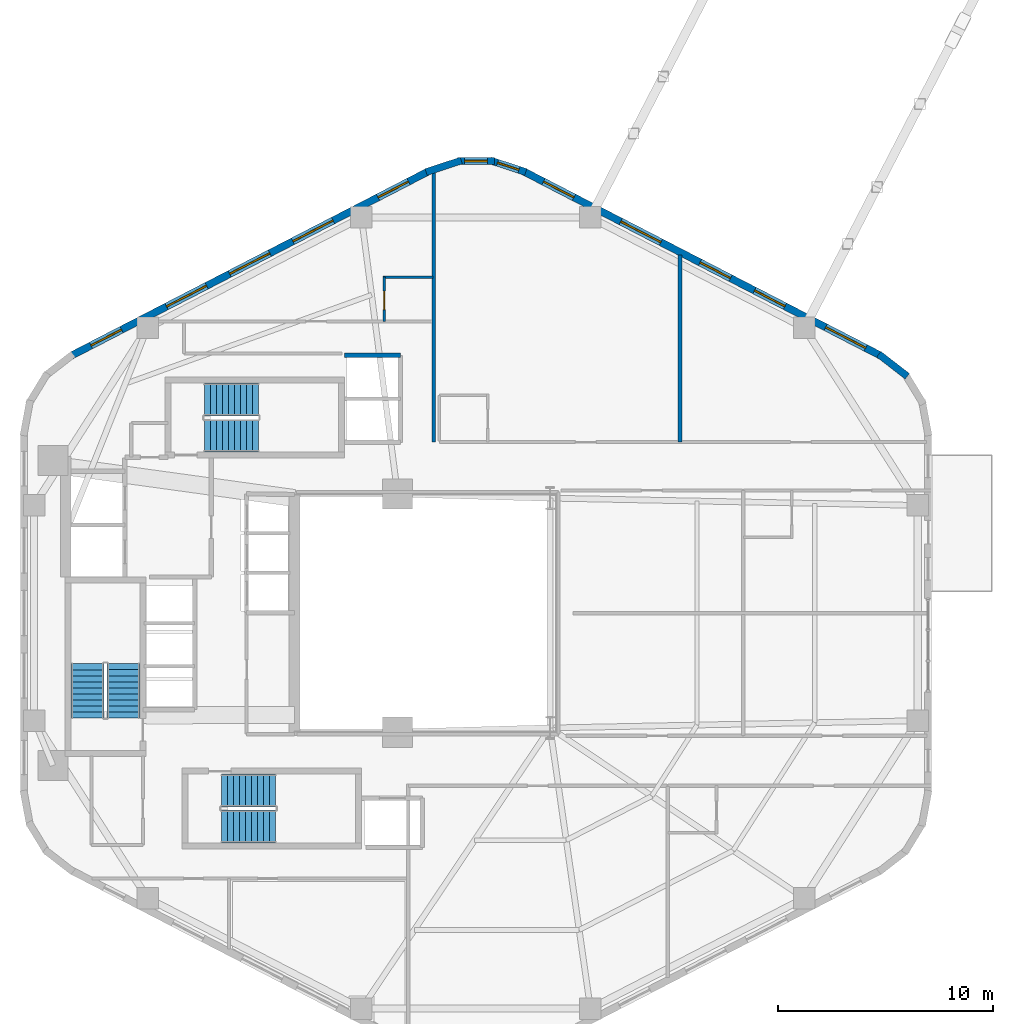
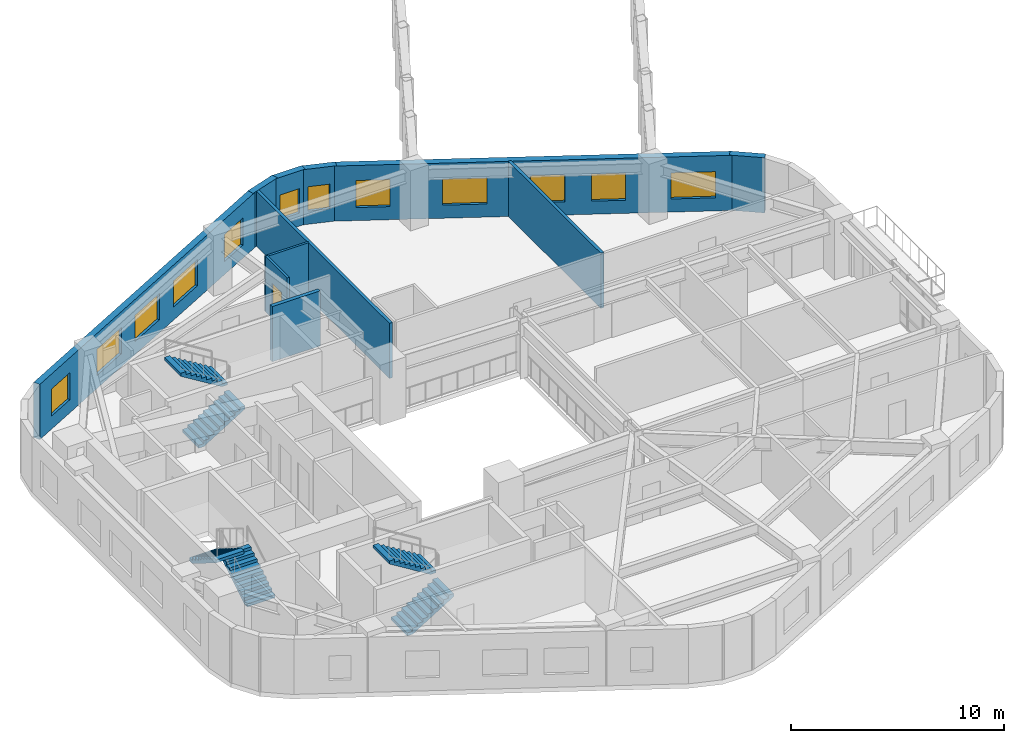
# One storey, part 7 of 9: 12 windows, 11 walls, 6 stair flights, 1 door, 13 openings, 3 elements without a shape of their own.
"""IFC4 building model written with IfcOpenShell, lengths in metres."""

import ifcopenshell
import ifcopenshell.guid

model = None  # the IFC model being written
_history = None  # IfcOwnerHistory: only IFC2X3 demands one
_inside = {}  # id of a spatial element -> (the spatial element, [elements in it])
_under = {}  # id of a project, library or spatial element -> (it, [spatial elements below it])
_declared = {}  # id of a project -> (the project, [libraries it declares])
_typed = {}  # id of a type object -> (the type object, [elements of that type])
_made_of = {}  # id of a material, layer set ... -> (it, [elements and type objects made of it])


def new_model(schema):
    """Start an empty IFC model of exactly this schema.

    Asked for "IFC4X3", IfcOpenShell would pick the latest addendum, in which some entities
    have other attributes; the version numbers below select the first issue.
    IFC2X3 requires an IfcOwnerHistory on every rooted entity: one is made here for all.
    """
    global model, _history
    if schema == "IFC4X3":
        model = ifcopenshell.file(schema_version=(4, 3, 0, 0))
    else:
        model = ifcopenshell.file(schema=schema)
    _inside.clear()
    _under.clear()
    _declared.clear()
    _typed.clear()
    _made_of.clear()
    _history = None
    if model.schema == "IFC2X3":
        org = make("IfcOrganization", Name="unknown")
        user = make(
            "IfcPersonAndOrganization",
            ThePerson=make("IfcPerson", FamilyName="unknown"),
            TheOrganization=org,
        )
        app = make(
            "IfcApplication",
            ApplicationDeveloper=org,
            Version="unknown",
            ApplicationFullName="unknown",
            ApplicationIdentifier="unknown",
        )
        _history = make(
            "IfcOwnerHistory",
            OwningUser=user,
            OwningApplication=app,
            ChangeAction="ADDED",
            CreationDate=0,
        )
    return model


def make(cls, **values):
    """One entity of the class cls with the attributes given. An attribute that is None is left unset."""
    return model.create_entity(
        cls, **{name: value for name, value in values.items() if value is not None}
    )


def rooted(cls, **values):
    """An entity with a GlobalId (a new one), such as an element, a storey or a relation."""
    return make(cls, GlobalId=ifcopenshell.guid.new(), OwnerHistory=_history, **values)


def si_unit(unit_type, name, prefix=None):
    """IfcSIUnit, for example si_unit("LENGTHUNIT", "METRE", prefix="MILLI")."""
    return make("IfcSIUnit", UnitType=unit_type, Prefix=prefix, Name=name)


def assignment(units):
    """IfcUnitAssignment: the units of a project."""
    return None if units is None else make("IfcUnitAssignment", Units=units)


def point(xyz):
    """IfcCartesianPoint."""
    return None if xyz is None else make("IfcCartesianPoint", Coordinates=xyz)


def direction(xyz):
    """IfcDirection."""
    return None if xyz is None else make("IfcDirection", DirectionRatios=xyz)


def frame(location, z_axis=None, x_axis=None):
    """IfcAxis2Placement3D, a coordinate frame: its origin and axes. An axis left out is left unset."""
    return make(
        "IfcAxis2Placement3D",
        Location=point(location),
        Axis=direction(z_axis),
        RefDirection=direction(x_axis),
    )


def frame_2d(location, x_axis=None):
    """IfcAxis2Placement2D, a coordinate frame in the plane: its origin and x axis."""
    return make(
        "IfcAxis2Placement2D", Location=point(location), RefDirection=direction(x_axis)
    )


def origin():
    """The frame at (0, 0, 0) with its axes left unset."""
    return frame((0.0, 0.0, 0.0))


def place(relative_to, where):
    """IfcLocalPlacement: puts the frame where relative to a parent placement (None: the world)."""
    return make(
        "IfcLocalPlacement", PlacementRelTo=relative_to, RelativePlacement=where
    )


def context(
    kind, dimensions, precision=None, world=None, true_north=None, identifier=None
):
    """IfcGeometricRepresentationContext, for example the 3D "Model" context."""
    return make(
        "IfcGeometricRepresentationContext",
        ContextIdentifier=identifier,
        ContextType=kind,
        CoordinateSpaceDimension=dimensions,
        Precision=precision,
        WorldCoordinateSystem=world,
        TrueNorth=true_north,
    )


def subcontext(parent, identifier, kind, view, scale=None):
    """IfcGeometricRepresentationSubContext, for example "Body" below "Model"."""
    return make(
        "IfcGeometricRepresentationSubContext",
        ContextIdentifier=identifier,
        ContextType=kind,
        ParentContext=parent,
        TargetScale=scale,
        TargetView=view,
    )


def project(units=None, contexts=None):
    """IfcProject with its units and contexts."""
    return rooted(
        "IfcProject",
        Name="project",
        RepresentationContexts=contexts,
        UnitsInContext=assignment(units),
    )


def spatial(cls, under=None, at=None, **own):
    """A site, building, storey or space (cls), placed at a placement, below another one or the project."""
    s = rooted(cls, ObjectPlacement=at, **own)
    if under is not None:
        _under.setdefault(under.id(), (under, []))[1].append(s)
    return s


def polyline(points):
    """IfcPolyline through the points."""
    return make("IfcPolyline", Points=[point(p) for p in points])


def profile(cls, at=None, kind="AREA", **sizes):
    """A parametric profile (cls). Its sizes go by their IFC names, for example OverallWidth=200.0."""
    return make(cls, ProfileType=kind, Position=at, **sizes)


def rectangle(**sizes):
    """IfcRectangleProfileDef."""
    return profile("IfcRectangleProfileDef", **sizes)


def outline(outer, holes=None, kind="AREA"):
    """IfcArbitraryClosedProfileDef: a profile drawn as a closed curve; with holes, ...WithVoids."""
    if holes is None:
        return make("IfcArbitraryClosedProfileDef", ProfileType=kind, OuterCurve=outer)
    return make(
        "IfcArbitraryProfileDefWithVoids",
        ProfileType=kind,
        OuterCurve=outer,
        InnerCurves=holes,
    )


def extrude(swept, where, along, depth):
    """IfcExtrudedAreaSolid: the profile swept, set in the frame where, extruded along a direction by depth."""
    return make(
        "IfcExtrudedAreaSolid",
        SweptArea=swept,
        Position=where,
        ExtrudedDirection=direction(along),
        Depth=depth,
    )


def shape(context_of_items, identifier, shape_type, items):
    """IfcShapeRepresentation: the items that make up one representation, for example the "Body"."""
    return make(
        "IfcShapeRepresentation",
        ContextOfItems=context_of_items,
        RepresentationIdentifier=identifier,
        RepresentationType=shape_type,
        Items=items,
    )


def material(Name=None, Category=None):
    """IfcMaterial."""
    return make("IfcMaterial", Name=Name, Category=Category)


def layer(
    of_material, thickness, ventilated=None, Name=None, Category=None, Priority=None
):
    """IfcMaterialLayer: one layer of a wall or slab, of a material (None: an air gap)."""
    return make(
        "IfcMaterialLayer",
        Material=of_material,
        LayerThickness=thickness,
        IsVentilated=ventilated,
        Name=Name,
        Category=Category,
        Priority=Priority,
    )


def layer_set(layers, Name=None):
    """IfcMaterialLayerSet."""
    return make("IfcMaterialLayerSet", MaterialLayers=layers, LayerSetName=Name)


def made_of(thing, what):
    """Note that an element or type object is made of a material, layer set ...; save() writes the relation."""
    if what is not None:
        _made_of.setdefault(what.id(), (what, []))[1].append(thing)
    return thing


def type_object(cls, material=None, **own):
    """A type object (cls), such as IfcWallType, which elements share."""
    return made_of(rooted(cls, **own), material)


def element(
    cls,
    number,
    at=None,
    inside=None,
    cuts=None,
    type_object=None,
    material=None,
    context=None,
    identifier="Body",
    shape_type=None,
    held_by="IfcProductDefinitionShape",
    body=None,
    shapes=None,
    **own,
):
    """One element of the class cls, such as IfcWall. Its Tag is "e" and its number.

    at: its placement. inside: the storey or other place that contains it. cuts: it is an
    opening in that element (IfcRelVoidsElement). A single representation is given by context,
    identifier, shape_type and body (its items); several are given by shapes. held_by: the class
    of the entity that holds the representations. save() writes the other relations.
    """
    e = rooted(cls, Tag="e%d" % number, ObjectPlacement=at, **own)
    if body is not None:
        shapes = [shape(context, identifier, shape_type, body)]
    if shapes is not None:
        e.Representation = make(held_by, Representations=shapes)
    if inside is not None:
        _inside.setdefault(inside.id(), (inside, []))[1].append(e)
    if cuts is not None:
        rooted(
            "IfcRelVoidsElement", RelatingBuildingElement=cuts, RelatedOpeningElement=e
        )
    if type_object is not None:
        _typed.setdefault(type_object.id(), (type_object, []))[1].append(e)
    return made_of(e, material)


def fill(opening, filler):
    """IfcRelFillsElement: the door or window that sits in an opening."""
    return rooted(
        "IfcRelFillsElement",
        RelatingOpeningElement=opening,
        RelatedBuildingElement=filler,
    )


def aggregate(whole, parts):
    """IfcRelAggregates: a whole, such as a stair, and the parts it consists of."""
    return rooted("IfcRelAggregates", RelatingObject=whole, RelatedObjects=parts)


def save(model, path):
    """Write the relations noted so far, then the file.

    IfcRelAggregates (storeys below a building ...), IfcRelContainedInSpatialStructure (elements
    in a storey), IfcRelDefinesByType, IfcRelAssociatesMaterial and IfcRelDeclares: one each for
    every whole, place, type object, material and project.
    """
    for whole, parts in _under.values():
        aggregate(whole, parts)
    for where, things in _inside.values():
        rooted(
            "IfcRelContainedInSpatialStructure",
            RelatedElements=things,
            RelatingStructure=where,
        )
    for kind, things in _typed.values():
        rooted("IfcRelDefinesByType", RelatedObjects=things, RelatingType=kind)
    for what, things in _made_of.values():
        rooted("IfcRelAssociatesMaterial", RelatedObjects=things, RelatingMaterial=what)
    for by, libraries in _declared.values():
        rooted("IfcRelDeclares", RelatingContext=by, RelatedDefinitions=libraries)
    model.write(path)


model = new_model("IFC4")

# Units and contexts
model_context = context("Model", 3, precision=1e-05, world=origin(), true_north=direction((0.0, 1.0)))
body_context = subcontext(model_context, "Body", "Model", "MODEL_VIEW")
ifc_project = project(units=[si_unit("LENGTHUNIT", "METRE"), si_unit("AREAUNIT", "SQUARE_METRE"), si_unit("VOLUMEUNIT", "CUBIC_METRE"), si_unit("PLANEANGLEUNIT", "RADIAN"), si_unit("MASSUNIT", "GRAM", prefix="KILO"), si_unit("THERMODYNAMICTEMPERATUREUNIT", "KELVIN"), si_unit("POWERUNIT", "WATT")], contexts=[model_context])

# Site, building, storey
site_placement = place(None, origin())
site = spatial("IfcSite", under=ifc_project, at=site_placement, CompositionType="ELEMENT")
building_placement = place(site_placement, origin())
building = spatial("IfcBuilding", under=site, at=building_placement, Name="Skarre Station Tower", CompositionType="ELEMENT")
storey_placement = place(building_placement, frame((0.0, 0.0, 108.449951171875)))
storey = spatial("IfcBuildingStorey", under=building, at=storey_placement, Name="L28", CompositionType="ELEMENT", Elevation=108.449951171875)

# Wall
ifc_material_1 = material(Name="Insulated Timber-Stud Gypsum Partition", Category="wood")
ifc_layer_1 = layer(ifc_material_1, 0.1201171875, Name="Insulated Timber-Stud Gypsum Partition")
ifc_layer_set_1 = layer_set([ifc_layer_1], Name="Insulated Timber-Stud Gypsum Partition")
wall_type_1 = type_object("IfcWallType", Name="Internal Suite Acoustic Partition 120", PredefinedType="PARTITIONING", material=ifc_layer_set_1)
wall_1_placement = place(storey_placement, frame((34.0, 39.639892578125, 0.0), z_axis=(0.0, 0.0, 1.0), x_axis=(-1.0, 0.0, 0.0)))
element("IfcWall", 1, at=wall_1_placement, inside=storey, type_object=wall_type_1, Name="L28 Interior Partition WL-PT-L28-NWW1-EW3", PredefinedType="PARTITIONING", context=body_context, shape_type="SweptSolid", body=[
    extrude(rectangle(XDim=2.340087890625, YDim=0.1201171875, at=frame_2d((1.169921875, 0.0))), origin(), (0.0, 0.0, 1.0), 3.16015625),
])

# Wall, opening, door
wall_2_placement = place(storey_placement, frame((31.719970703125, 39.639892578125, 0.0), z_axis=(0.0, 0.0, 1.0), x_axis=(0.0, -1.0, 0.0)))
wall_2 = element("IfcWall", 2, at=wall_2_placement, inside=storey, type_object=wall_type_1, Name="L28 Interior Partition WL-PT-L28-NWW1-EW4", PredefinedType="PARTITIONING", context=body_context, shape_type="SweptSolid", body=[
    extrude(rectangle(XDim=2.059814453125, YDim=0.1201171875, at=frame_2d((1.02978515625, 0.0))), origin(), (0.0, 0.0, 1.0), 3.16015625),
])
opening_1_placement = place(wall_2_placement, frame((0.64990234375, 0.0, 0.0)))
opening_1 = element("IfcOpeningElement", 3, at=opening_1_placement, cuts=wall_2, Name="Opening DR-INT86", PredefinedType="OPENING", context=body_context, shape_type="SweptSolid", body=[
    extrude(rectangle(XDim=0.860107421875, YDim=2.0, at=frame_2d((0.43017578125, 1.0))), frame((0.0, 0.070068359375, 0.0), z_axis=(0.0, -1.0, 0.0), x_axis=(1.0, 0.0, 0.0)), (0.0, 0.0, 1.0), 0.14013671875),
])
ifc_material_2 = material(Name="Nordic Birch Acoustic Solid-Core Timber Leaf", Category="wood")
door_type = type_object("IfcDoorType", Name="Internal En-Suite & Bedroom Door 860x2100", OperationType="SINGLE_SWING_LEFT", PredefinedType="DOOR", material=ifc_material_2)
door_placement = place(opening_1_placement, origin())
door = element("IfcDoor", 4, at=door_placement, inside=storey, type_object=door_type, Name="L28 NWW1 En-suite Door", OperationType="SINGLE_SWING_RIGHT", OverallHeight=2.0, OverallWidth=0.860107421875, PredefinedType="DOOR", context=body_context, shape_type="SweptSolid", body=[
    extrude(rectangle(XDim=0.860107421875, YDim=2.0, at=frame_2d((0.43017578125, 1.0))), frame((0.0, 0.02490234375, 0.0), z_axis=(0.0, -1.0, 0.0), x_axis=(1.0, 0.0, 0.0)), (0.0, 0.0, 1.0), 0.050048828125),
])
fill(opening_1, door)

# Wall, openings, windows
ifc_material_3 = material(Name="Precast concrete C45/55", Category="concrete")
ifc_layer_2 = layer(ifc_material_3, 0.340087890625, Name="Precast concrete C45/55")
ifc_layer_set_2 = layer_set([ifc_layer_2], Name="Precast concrete C45/55")
wall_type_2 = type_object("IfcWallType", Name="Nordic Honed Precast Facet Wall 340", PredefinedType="STANDARD", material=ifc_layer_set_2)
wall_3_placement = place(storey_placement, frame((38.23095703125, 44.55810546875, 0.0), z_axis=(0.0, 0.0, 1.0), x_axis=(0.888613612362, -0.458656568606, 0.0)))
wall_3 = element("IfcWall", 5, at=wall_3_placement, inside=storey, type_object=wall_type_2, Name="L28 Facet 0 Nordic Precast Masonry Wall", PredefinedType="STANDARD", context=body_context, shape_type="SweptSolid", body=[
    extrude(rectangle(XDim=18.680908203125, YDim=0.340087890625, at=frame_2d((9.34033203125, 0.0))), origin(), (0.0, 0.0, 1.0), 3.16015625),
])
opening_2_placement = place(wall_3_placement, frame((1.02294921875, 0.0, 0.75)))
opening_2 = element("IfcOpeningElement", 6, at=opening_2_placement, cuts=wall_3, Name="Opening WN-Z2A", PredefinedType="OPENING", context=body_context, shape_type="SweptSolid", body=[
    extrude(rectangle(XDim=1.60009765625, YDim=1.550048828125, at=frame_2d((0.800048828125, 0.77490234375))), frame((0.0, 0.179931640625, 0.0), z_axis=(0.0, -1.0, 0.0), x_axis=(1.0, 0.0, 0.0)), (0.0, 0.0, 1.0), 0.360107421875),
])
opening_3_placement = place(wall_3_placement, frame((5.076904296875, 0.0, 0.75)))
opening_3 = element("IfcOpeningElement", 7, at=opening_3_placement, cuts=wall_3, Name="Opening WN-Z2B", PredefinedType="OPENING", context=body_context, shape_type="SweptSolid", body=[
    extrude(rectangle(XDim=2.10009765625, YDim=1.5, at=frame_2d((1.050048828125, 0.75))), frame((0.0, 0.179931640625, 0.0), z_axis=(0.0, -1.0, 0.0), x_axis=(1.0, 0.0, 0.0)), (0.0, 0.0, 1.0), 0.360107421875),
])
opening_4_placement = place(wall_3_placement, frame((9.22900390625, 0.0, 0.75)))
opening_4 = element("IfcOpeningElement", 8, at=opening_4_placement, cuts=wall_3, Name="Opening WN-Z2A", PredefinedType="OPENING", context=body_context, shape_type="SweptSolid", body=[
    extrude(rectangle(XDim=1.60009765625, YDim=1.550048828125, at=frame_2d((0.800048828125, 0.77490234375))), frame((0.0, 0.179931640625, 0.0), z_axis=(0.0, -1.0, 0.0), x_axis=(1.0, 0.0, 0.0)), (0.0, 0.0, 1.0), 0.360107421875),
])
opening_5_placement = place(wall_3_placement, frame((12.0791015625, 0.0, 0.75)))
opening_5 = element("IfcOpeningElement", 9, at=opening_5_placement, cuts=wall_3, Name="Opening WN-Z2A", PredefinedType="OPENING", context=body_context, shape_type="SweptSolid", body=[
    extrude(rectangle(XDim=1.60009765625, YDim=1.550048828125, at=frame_2d((0.800048828125, 0.77490234375))), frame((0.0, 0.179931640625, 0.0), z_axis=(0.0, -1.0, 0.0), x_axis=(1.0, 0.0, 0.0)), (0.0, 0.0, 1.0), 0.360107421875),
])
opening_6_placement = place(wall_3_placement, frame((15.80810546875, 0.0, 0.75)))
opening_6 = element("IfcOpeningElement", 10, at=opening_6_placement, cuts=wall_3, Name="Opening WN-Z2B", PredefinedType="OPENING", context=body_context, shape_type="SweptSolid", body=[
    extrude(rectangle(XDim=2.10009765625, YDim=1.5, at=frame_2d((1.050048828125, 0.75))), frame((0.0, 0.179931640625, 0.0), z_axis=(0.0, -1.0, 0.0), x_axis=(1.0, 0.0, 0.0)), (0.0, 0.0, 1.0), 0.360107421875),
])
ifc_material_4 = material(Name="Low-Iron Triple Glazing with Bronze Anodized Frame", Category="glass")
window_type_1 = type_object("IfcWindowType", Name="Nordic Residential Tall Window 1600x1550", PartitioningType="SINGLE_PANEL", PredefinedType="WINDOW", material=ifc_material_4)
window_1_placement = place(opening_2_placement, origin())
window_1 = element("IfcWindow", 11, at=window_1_placement, inside=storey, type_object=window_type_1, Name="L28 Facade Window WL-FAC-L28-F0-1", OverallHeight=1.550048828125, OverallWidth=1.60009765625, PartitioningType="SINGLE_PANEL", PredefinedType="WINDOW", context=body_context, shape_type="SweptSolid", body=[
    extrude(rectangle(XDim=1.60009765625, YDim=1.550048828125, at=frame_2d((0.800048828125, 0.77490234375))), frame((0.0, 0.030029296875, 0.0), z_axis=(0.0, -1.0, 0.0), x_axis=(1.0, 0.0, 0.0)), (0.0, 0.0, 1.0), 0.06005859375),
])
fill(opening_2, window_1)
window_2_placement = place(opening_4_placement, origin())
window_2 = element("IfcWindow", 12, at=window_2_placement, inside=storey, type_object=window_type_1, Name="L28 Facade Window WL-FAC-L28-F0-3", OverallHeight=1.550048828125, OverallWidth=1.60009765625, PartitioningType="SINGLE_PANEL", PredefinedType="WINDOW", context=body_context, shape_type="SweptSolid", body=[
    extrude(rectangle(XDim=1.60009765625, YDim=1.550048828125, at=frame_2d((0.800048828125, 0.77490234375))), frame((0.0, 0.030029296875, 0.0), z_axis=(0.0, -1.0, 0.0), x_axis=(1.0, 0.0, 0.0)), (0.0, 0.0, 1.0), 0.06005859375),
])
fill(opening_4, window_2)
window_3_placement = place(opening_5_placement, origin())
window_3 = element("IfcWindow", 13, at=window_3_placement, inside=storey, type_object=window_type_1, Name="L28 Facade Window WL-FAC-L28-F0-4", OverallHeight=1.550048828125, OverallWidth=1.60009765625, PartitioningType="SINGLE_PANEL", PredefinedType="WINDOW", context=body_context, shape_type="SweptSolid", body=[
    extrude(rectangle(XDim=1.60009765625, YDim=1.550048828125, at=frame_2d((0.800048828125, 0.77490234375))), frame((0.0, 0.030029296875, 0.0), z_axis=(0.0, -1.0, 0.0), x_axis=(1.0, 0.0, 0.0)), (0.0, 0.0, 1.0), 0.06005859375),
])
fill(opening_5, window_3)
window_type_2 = type_object("IfcWindowType", Name="Nordic Residential Twin Window 2100x1500", PartitioningType="SINGLE_PANEL", PredefinedType="WINDOW", material=ifc_material_4)
window_4_placement = place(opening_3_placement, origin())
window_4 = element("IfcWindow", 14, at=window_4_placement, inside=storey, type_object=window_type_2, Name="L28 Facade Window WL-FAC-L28-F0-2", OverallHeight=1.5, OverallWidth=2.10009765625, PartitioningType="SINGLE_PANEL", PredefinedType="WINDOW", context=body_context, shape_type="SweptSolid", body=[
    extrude(rectangle(XDim=2.10009765625, YDim=1.5, at=frame_2d((1.050048828125, 0.75))), frame((0.0, 0.030029296875, 0.0), z_axis=(0.0, -1.0, 0.0), x_axis=(1.0, 0.0, 0.0)), (0.0, 0.0, 1.0), 0.06005859375),
])
fill(opening_3, window_4)
window_5_placement = place(opening_6_placement, origin())
window_5 = element("IfcWindow", 15, at=window_5_placement, inside=storey, type_object=window_type_2, Name="L28 Facade Window WL-FAC-L28-F0-5", OverallHeight=1.5, OverallWidth=2.10009765625, PartitioningType="SINGLE_PANEL", PredefinedType="WINDOW", context=body_context, shape_type="SweptSolid", body=[
    extrude(rectangle(XDim=2.10009765625, YDim=1.5, at=frame_2d((1.050048828125, 0.75))), frame((0.0, 0.030029296875, 0.0), z_axis=(0.0, -1.0, 0.0), x_axis=(1.0, 0.0, 0.0)), (0.0, 0.0, 1.0), 0.06005859375),
])
fill(opening_6, window_5)

wall_4_placement = place(storey_placement, frame((17.1689453125, 35.989990234375, 0.0), z_axis=(0.0, 0.0, 1.0), x_axis=(0.888613612362, 0.458656568606, 0.0)))
wall_4 = element("IfcWall", 16, at=wall_4_placement, inside=storey, type_object=wall_type_2, Name="L28 Facet 1 Nordic Precast Masonry Wall", PredefinedType="STANDARD", context=body_context, shape_type="SweptSolid", body=[
    extrude(rectangle(XDim=18.680908203125, YDim=0.340087890625, at=frame_2d((9.34033203125, 0.0))), origin(), (0.0, 0.0, 1.0), 3.16015625),
])
opening_7_placement = place(wall_4_placement, frame((1.02294921875, 0.0, 0.75)))
opening_7 = element("IfcOpeningElement", 17, at=opening_7_placement, cuts=wall_4, Name="Opening WN-Z2A", PredefinedType="OPENING", context=body_context, shape_type="SweptSolid", body=[
    extrude(rectangle(XDim=1.60009765625, YDim=1.550048828125, at=frame_2d((0.800048828125, 0.77490234375))), frame((0.0, 0.179931640625, 0.0), z_axis=(0.0, -1.0, 0.0), x_axis=(1.0, 0.0, 0.0)), (0.0, 0.0, 1.0), 0.360107421875),
])
opening_8_placement = place(wall_4_placement, frame((4.98095703125, 0.0, 0.75)))
opening_8 = element("IfcOpeningElement", 18, at=opening_8_placement, cuts=wall_4, Name="Opening WN-Z2B", PredefinedType="OPENING", context=body_context, shape_type="SweptSolid", body=[
    extrude(rectangle(XDim=2.10009765625, YDim=1.5, at=frame_2d((1.050048828125, 0.75))), frame((0.0, 0.179931640625, 0.0), z_axis=(0.0, -1.0, 0.0), x_axis=(1.0, 0.0, 0.0)), (0.0, 0.0, 1.0), 0.360107421875),
])
opening_9_placement = place(wall_4_placement, frame((8.2900390625, 0.0, 0.75)))
opening_9 = element("IfcOpeningElement", 19, at=opening_9_placement, cuts=wall_4, Name="Opening WN-Z2B", PredefinedType="OPENING", context=body_context, shape_type="SweptSolid", body=[
    extrude(rectangle(XDim=2.10009765625, YDim=1.5, at=frame_2d((1.050048828125, 0.75))), frame((0.0, 0.179931640625, 0.0), z_axis=(0.0, -1.0, 0.0), x_axis=(1.0, 0.0, 0.0)), (0.0, 0.0, 1.0), 0.360107421875),
])
opening_10_placement = place(wall_4_placement, frame((11.60009765625, 0.0, 0.75)))
opening_10 = element("IfcOpeningElement", 20, at=opening_10_placement, cuts=wall_4, Name="Opening WN-Z2B", PredefinedType="OPENING", context=body_context, shape_type="SweptSolid", body=[
    extrude(rectangle(XDim=2.10009765625, YDim=1.5, at=frame_2d((1.050048828125, 0.75))), frame((0.0, 0.179931640625, 0.0), z_axis=(0.0, -1.0, 0.0), x_axis=(1.0, 0.0, 0.0)), (0.0, 0.0, 1.0), 0.360107421875),
])
opening_11_placement = place(wall_4_placement, frame((16.05810546875, 0.0, 0.75)))
opening_11 = element("IfcOpeningElement", 21, at=opening_11_placement, cuts=wall_4, Name="Opening WN-Z2A", PredefinedType="OPENING", context=body_context, shape_type="SweptSolid", body=[
    extrude(rectangle(XDim=1.60009765625, YDim=1.550048828125, at=frame_2d((0.800048828125, 0.77490234375))), frame((0.0, 0.179931640625, 0.0), z_axis=(0.0, -1.0, 0.0), x_axis=(1.0, 0.0, 0.0)), (0.0, 0.0, 1.0), 0.360107421875),
])
window_6_placement = place(opening_7_placement, origin())
window_6 = element("IfcWindow", 22, at=window_6_placement, inside=storey, type_object=window_type_1, Name="L28 Facade Window WL-FAC-L28-F1-1", OverallHeight=1.550048828125, OverallWidth=1.60009765625, PartitioningType="SINGLE_PANEL", PredefinedType="WINDOW", context=body_context, shape_type="SweptSolid", body=[
    extrude(rectangle(XDim=1.60009765625, YDim=1.550048828125, at=frame_2d((0.800048828125, 0.77490234375))), frame((0.0, 0.030029296875, 0.0), z_axis=(0.0, -1.0, 0.0), x_axis=(1.0, 0.0, 0.0)), (0.0, 0.0, 1.0), 0.06005859375),
])
fill(opening_7, window_6)
window_7_placement = place(opening_11_placement, origin())
window_7 = element("IfcWindow", 23, at=window_7_placement, inside=storey, type_object=window_type_1, Name="L28 Facade Window WL-FAC-L28-F1-5", OverallHeight=1.550048828125, OverallWidth=1.60009765625, PartitioningType="SINGLE_PANEL", PredefinedType="WINDOW", context=body_context, shape_type="SweptSolid", body=[
    extrude(rectangle(XDim=1.60009765625, YDim=1.550048828125, at=frame_2d((0.800048828125, 0.77490234375))), frame((0.0, 0.030029296875, 0.0), z_axis=(0.0, -1.0, 0.0), x_axis=(1.0, 0.0, 0.0)), (0.0, 0.0, 1.0), 0.06005859375),
])
fill(opening_11, window_7)
window_8_placement = place(opening_8_placement, origin())
window_8 = element("IfcWindow", 24, at=window_8_placement, inside=storey, type_object=window_type_2, Name="L28 Facade Window WL-FAC-L28-F1-2", OverallHeight=1.5, OverallWidth=2.10009765625, PartitioningType="SINGLE_PANEL", PredefinedType="WINDOW", context=body_context, shape_type="SweptSolid", body=[
    extrude(rectangle(XDim=2.10009765625, YDim=1.5, at=frame_2d((1.050048828125, 0.75))), frame((0.0, 0.030029296875, 0.0), z_axis=(0.0, -1.0, 0.0), x_axis=(1.0, 0.0, 0.0)), (0.0, 0.0, 1.0), 0.06005859375),
])
fill(opening_8, window_8)
window_9_placement = place(opening_9_placement, origin())
window_9 = element("IfcWindow", 25, at=window_9_placement, inside=storey, type_object=window_type_2, Name="L28 Facade Window WL-FAC-L28-F1-3", OverallHeight=1.5, OverallWidth=2.10009765625, PartitioningType="SINGLE_PANEL", PredefinedType="WINDOW", context=body_context, shape_type="SweptSolid", body=[
    extrude(rectangle(XDim=2.10009765625, YDim=1.5, at=frame_2d((1.050048828125, 0.75))), frame((0.0, 0.030029296875, 0.0), z_axis=(0.0, -1.0, 0.0), x_axis=(1.0, 0.0, 0.0)), (0.0, 0.0, 1.0), 0.06005859375),
])
fill(opening_9, window_9)
window_10_placement = place(opening_10_placement, origin())
window_10 = element("IfcWindow", 26, at=window_10_placement, inside=storey, type_object=window_type_2, Name="L28 Facade Window WL-FAC-L28-F1-4", OverallHeight=1.5, OverallWidth=2.10009765625, PartitioningType="SINGLE_PANEL", PredefinedType="WINDOW", context=body_context, shape_type="SweptSolid", body=[
    extrude(rectangle(XDim=2.10009765625, YDim=1.5, at=frame_2d((1.050048828125, 0.75))), frame((0.0, 0.030029296875, 0.0), z_axis=(0.0, -1.0, 0.0), x_axis=(1.0, 0.0, 0.0)), (0.0, 0.0, 1.0), 0.06005859375),
])
fill(opening_10, window_10)

# Walls
ifc_layer_3 = layer(ifc_material_3, 0.330078125, Name="Precast concrete C45/55")
ifc_layer_set_3 = layer_set([ifc_layer_3], Name="Precast concrete C45/55")
wall_type_3 = type_object("IfcWallType", Name="Nordic Rounded Corner Precast Wall 330", PredefinedType="STANDARD", material=ifc_layer_set_3)
wall_5_placement = place(storey_placement, frame((54.757080078125, 36.050048828125, 0.0), z_axis=(0.0, 0.0, 1.0), x_axis=(0.790621329885, -0.612305408053, 0.0)))
element("IfcWall", 27, at=wall_5_placement, inside=storey, type_object=wall_type_3, Name="L28 Rounded Corner Precast Wall F0-1", PredefinedType="STANDARD", context=body_context, shape_type="SweptSolid", body=[
    extrude(rectangle(XDim=1.67578125, YDim=0.330078125, at=frame_2d((0.837890625, 0.0))), origin(), (0.0, 0.0, 1.0), 3.16015625),
])
wall_6_placement = place(storey_placement, frame((33.680908203125, 44.531982421875, 0.0), z_axis=(0.0, 0.0, 1.0), x_axis=(0.949937416267, 0.312440242569, 0.0)))
element("IfcWall", 28, at=wall_6_placement, inside=storey, type_object=wall_type_3, Name="L28 Rounded Corner Precast Wall F1-1", PredefinedType="STANDARD", context=body_context, shape_type="SweptSolid", body=[
    extrude(rectangle(XDim=1.72216796875, YDim=0.330078125, at=frame_2d((0.861083984375, 0.0))), origin(), (0.0, 0.0, 1.0), 3.16015625),
])

# Wall, opening, window
wall_7_placement = place(storey_placement, frame((35.138916015625, 45.041015625, 0.0), z_axis=(0.0, 0.0, 1.0), x_axis=(1.0, 0.0, 0.0)))
wall_7 = element("IfcWall", 29, at=wall_7_placement, inside=storey, type_object=wall_type_3, Name="L28 Rounded Corner Precast Wall F1-2", PredefinedType="STANDARD", context=body_context, shape_type="SweptSolid", body=[
    extrude(rectangle(XDim=1.72216796875, YDim=0.330078125, at=frame_2d((0.861083984375, 0.0))), origin(), (0.0, 0.0, 1.0), 3.16015625),
])
opening_12_placement = place(wall_7_placement, frame((0.3359375, 0.0, 0.75)))
opening_12 = element("IfcOpeningElement", 30, at=opening_12_placement, cuts=wall_7, Name="Opening WN-SLT", PredefinedType="OPENING", context=body_context, shape_type="SweptSolid", body=[
    extrude(rectangle(XDim=1.050048828125, YDim=1.39990234375, at=frame_2d((0.52490234375, 0.699951171875))), frame((0.0, 0.175048828125, 0.0), z_axis=(0.0, -1.0, 0.0), x_axis=(1.0, 0.0, 0.0)), (0.0, 0.0, 1.0), 0.35009765625),
])
window_type_3 = type_object("IfcWindowType", Name="Nordic Corner Slot Window 1050x1400", PartitioningType="SINGLE_PANEL", PredefinedType="WINDOW", material=ifc_material_4)
window_11_placement = place(opening_12_placement, origin())
window_11 = element("IfcWindow", 31, at=window_11_placement, inside=storey, type_object=window_type_3, Name="L28 Apex Corner Slot Window F1-2", OverallHeight=1.39990234375, OverallWidth=1.050048828125, PartitioningType="SINGLE_PANEL", PredefinedType="WINDOW", context=body_context, shape_type="SweptSolid", body=[
    extrude(rectangle(XDim=1.050048828125, YDim=1.39990234375, at=frame_2d((0.52490234375, 0.699951171875))), frame((0.0, 0.030029296875, 0.0), z_axis=(0.0, -1.0, 0.0), x_axis=(1.0, 0.0, 0.0)), (0.0, 0.0, 1.0), 0.06005859375),
])
fill(opening_12, window_11)

wall_8_placement = place(storey_placement, frame((36.68310546875, 45.070068359375, 0.0), z_axis=(0.0, 0.0, 1.0), x_axis=(0.949937416267, -0.312440242569, 0.0)))
wall_8 = element("IfcWall", 32, at=wall_8_placement, inside=storey, type_object=wall_type_3, Name="L28 Rounded Corner Precast Wall F1-3", PredefinedType="STANDARD", context=body_context, shape_type="SweptSolid", body=[
    extrude(rectangle(XDim=1.72216796875, YDim=0.330078125, at=frame_2d((0.861083984375, 0.0))), origin(), (0.0, 0.0, 1.0), 3.16015625),
])
opening_13_placement = place(wall_8_placement, frame((0.3359375, 0.0, 0.75)))
opening_13 = element("IfcOpeningElement", 33, at=opening_13_placement, cuts=wall_8, Name="Opening WN-SLT", PredefinedType="OPENING", context=body_context, shape_type="SweptSolid", body=[
    extrude(rectangle(XDim=1.050048828125, YDim=1.39990234375, at=frame_2d((0.52490234375, 0.699951171875))), frame((0.0, 0.175048828125, 0.0), z_axis=(0.0, -1.0, 0.0), x_axis=(1.0, 0.0, 0.0)), (0.0, 0.0, 1.0), 0.35009765625),
])
window_12_placement = place(opening_13_placement, origin())
window_12 = element("IfcWindow", 34, at=window_12_placement, inside=storey, type_object=window_type_3, Name="L28 Apex Corner Slot Window F1-3", OverallHeight=1.39990234375, OverallWidth=1.050048828125, PartitioningType="SINGLE_PANEL", PredefinedType="WINDOW", context=body_context, shape_type="SweptSolid", body=[
    extrude(rectangle(XDim=1.050048828125, YDim=1.39990234375, at=frame_2d((0.52490234375, 0.699951171875))), frame((0.0, 0.030029296875, 0.0), z_axis=(0.0, -1.0, 0.0), x_axis=(1.0, 0.0, 0.0)), (0.0, 0.0, 1.0), 0.06005859375),
])
fill(opening_13, window_12)

# Walls
ifc_material_5 = material(Name="Gypsum Concrete Shaft Assembly C30/37", Category="concrete")
ifc_layer_4 = layer(ifc_material_5, 0.199951171875, Name="Gypsum Concrete Shaft Assembly C30/37")
ifc_layer_set_4 = layer_set([ifc_layer_4], Name="Gypsum Concrete Shaft Assembly C30/37")
wall_type_4 = type_object("IfcWallType", Name="Shaft & Core Fire Partition 200", PredefinedType="PARTITIONING", material=ifc_layer_set_4)
wall_9_placement = place(storey_placement, frame((29.8798828125, 36.0, 0.0), z_axis=(0.0, 0.0, 1.0), x_axis=(1.0, 0.0, 0.0)))
element("IfcWall", 35, at=wall_9_placement, inside=storey, type_object=wall_type_4, Name="L28 Interior Partition WL-PT-L28-EX-N", PredefinedType="PARTITIONING", context=body_context, shape_type="SweptSolid", body=[
    extrude(rectangle(XDim=2.60009765625, YDim=0.199951171875, at=frame_2d((1.300048828125, 0.0))), origin(), (0.0, 0.0, 1.0), 3.16015625),
])
ifc_material_6 = material(Name="Acoustic Steel-Stud Gypsum Partition", Category="steel")
ifc_layer_5 = layer(ifc_material_6, 0.1650390625, Name="Acoustic Steel-Stud Gypsum Partition")
ifc_layer_set_5 = layer_set([ifc_layer_5], Name="Acoustic Steel-Stud Gypsum Partition")
wall_type_5 = type_object("IfcWallType", Name="Suite Demising Acoustic Partition 165", PredefinedType="PARTITIONING", material=ifc_layer_set_5)
wall_10_placement = place(storey_placement, frame((34.0400390625, 31.9599609375, 0.0), z_axis=(0.0, 0.0, 1.0), x_axis=(0.0, 1.0, 0.0)))
element("IfcWall", 36, at=wall_10_placement, inside=storey, type_object=wall_type_5, Name="L28 Interior Partition WL-PT-L28-NW-WBND", PredefinedType="PARTITIONING", context=body_context, shape_type="SweptSolid", body=[
    extrude(rectangle(XDim=12.55810546875, YDim=0.1650390625, at=frame_2d((6.279052734375, 0.0))), origin(), (0.0, 0.0, 1.0), 3.16015625),
])
wall_11_placement = place(storey_placement, frame((45.4990234375, 31.969970703125, 0.0), z_axis=(0.0, 0.0, 1.0), x_axis=(0.0, 1.0, 0.0)))
element("IfcWall", 37, at=wall_11_placement, inside=storey, type_object=wall_type_5, Name="L28 Interior Partition WL-PT-L28-NW-P1", PredefinedType="PARTITIONING", context=body_context, shape_type="SweptSolid", body=[
    extrude(rectangle(XDim=8.7021484375, YDim=0.1650390625, at=frame_2d((4.35107421875, 0.0))), origin(), (0.0, 0.0, 1.0), 3.16015625),
])

# Stair, stair flights
ifc_material_7 = material(Name="Concrete C40/50", Category="concrete")
stair_type_1 = type_object("IfcStairType", Name="Reinforced Concrete Exit Stair ST-1", PredefinedType="HALF_TURN_STAIR", material=ifc_material_7)
stair_1_placement = place(storey_placement, origin())
stair_1 = element("IfcStair", 38, at=stair_1_placement, inside=storey, type_object=stair_type_1, Name="L28 Core Exit Stair ST-1", PredefinedType="HALF_TURN_STAIR")
stair_flight_type_1 = type_object("IfcStairFlightType", Name="Reinforced Concrete Stair Flight ST-1", PredefinedType="STRAIGHT", material=ifc_material_7)
stair_flight_1_placement = place(storey_placement, frame((19.590087890625, 19.1201171875, 0.0), z_axis=(0.0, 0.0, 1.0), x_axis=(0.0, 1.0, 0.0)))
stair_flight_1 = element("IfcStairFlight", 39, at=stair_flight_1_placement, type_object=stair_flight_type_1, Name="ST-1 flight 1", NumberOfRisers=10, NumberOfTreads=9, PredefinedType="STRAIGHT", RiserHeight=0.1725, TreadLength=0.28, context=body_context, shape_type="SweptSolid", body=[
    extrude(outline(polyline([(0.0, 0.0), (0.0, 0.172607421875), (0.280029296875, 0.172607421875), (0.280029296875, 0.344970703125), (0.56005859375, 0.344970703125), (0.56005859375, 0.517578125), (0.840087890625, 0.517578125), (0.840087890625, 0.68994140625), (1.1201171875, 0.68994140625), (1.1201171875, 0.862548828125), (1.39990234375, 0.862548828125), (1.39990234375, 1.034912109375), (1.679931640625, 1.034912109375), (1.679931640625, 1.20751953125), (1.9599609375, 1.20751953125), (1.9599609375, 1.3798828125), (2.239990234375, 1.3798828125), (2.239990234375, 1.552490234375), (2.52001953125, 1.552490234375), (2.52001953125, 1.72509765625), (2.52001953125, 1.37646484375), (0.285888671875, 0.0), (0.0, 0.0)])), frame((0.0, 0.760009765625, 0.0), z_axis=(0.0, -1.0, 0.0), x_axis=(1.0, 0.0, 0.0)), (0.0, 0.0, 1.0), 1.52001953125),
])
stair_flight_2_placement = place(storey_placement, frame((17.909912109375, 21.639892578125, 1.72509765625), z_axis=(0.0, 0.0, 1.0), x_axis=(0.0, -1.0, 0.0)))
stair_flight_2 = element("IfcStairFlight", 40, at=stair_flight_2_placement, type_object=stair_flight_type_1, Name="ST-1 flight 2", NumberOfRisers=10, NumberOfTreads=9, PredefinedType="STRAIGHT", RiserHeight=0.1725, TreadLength=0.28, context=body_context, shape_type="SweptSolid", body=[
    extrude(outline(polyline([(0.0, 0.0), (0.0, 0.172607421875), (0.280029296875, 0.172607421875), (0.280029296875, 0.344970703125), (0.56005859375, 0.344970703125), (0.56005859375, 0.517578125), (0.840087890625, 0.517578125), (0.840087890625, 0.68994140625), (1.1201171875, 0.68994140625), (1.1201171875, 0.862548828125), (1.39990234375, 0.862548828125), (1.39990234375, 1.034912109375), (1.679931640625, 1.034912109375), (1.679931640625, 1.20751953125), (1.9599609375, 1.20751953125), (1.9599609375, 1.3798828125), (2.239990234375, 1.3798828125), (2.239990234375, 1.552490234375), (2.52001953125, 1.552490234375), (2.52001953125, 1.72509765625), (2.52001953125, 1.37646484375), (0.285888671875, 0.0), (0.0, 0.0)])), frame((0.0, 0.760009765625, 0.0), z_axis=(0.0, -1.0, 0.0), x_axis=(1.0, 0.0, 0.0)), (0.0, 0.0, 1.0), 1.52001953125),
])
aggregate(stair_1, [stair_flight_1, stair_flight_2])

stair_type_2 = type_object("IfcStairType", Name="Reinforced Concrete Exit Stair ST-2", PredefinedType="HALF_TURN_STAIR", material=ifc_material_7)
stair_2_placement = place(storey_placement, origin())
stair_2 = element("IfcStair", 41, at=stair_2_placement, inside=storey, type_object=stair_type_2, Name="L28 Core Exit Stair ST-2", PredefinedType="HALF_TURN_STAIR")
stair_flight_type_2 = type_object("IfcStairFlightType", Name="Reinforced Concrete Stair Flight ST-2", PredefinedType="STRAIGHT", material=ifc_material_7)
stair_flight_3_placement = place(storey_placement, frame((24.14990234375, 14.06005859375, 0.0), z_axis=(0.0, 0.0, 1.0), x_axis=(1.0, 0.0, 0.0)))
stair_flight_3 = element("IfcStairFlight", 42, at=stair_flight_3_placement, type_object=stair_flight_type_2, Name="ST-2 flight 1", NumberOfRisers=10, NumberOfTreads=9, PredefinedType="STRAIGHT", RiserHeight=0.1725, TreadLength=0.28, context=body_context, shape_type="SweptSolid", body=[
    extrude(outline(polyline([(0.0, 0.0), (0.0, 0.172607421875), (0.280029296875, 0.172607421875), (0.280029296875, 0.344970703125), (0.56005859375, 0.344970703125), (0.56005859375, 0.517578125), (0.840087890625, 0.517578125), (0.840087890625, 0.68994140625), (1.1201171875, 0.68994140625), (1.1201171875, 0.862548828125), (1.39990234375, 0.862548828125), (1.39990234375, 1.034912109375), (1.679931640625, 1.034912109375), (1.679931640625, 1.20751953125), (1.9599609375, 1.20751953125), (1.9599609375, 1.3798828125), (2.239990234375, 1.3798828125), (2.239990234375, 1.552490234375), (2.52001953125, 1.552490234375), (2.52001953125, 1.72509765625), (2.52001953125, 1.37646484375), (0.285888671875, 0.0), (0.0, 0.0)])), frame((0.0, 0.760009765625, 0.0), z_axis=(0.0, -1.0, 0.0), x_axis=(1.0, 0.0, 0.0)), (0.0, 0.0, 1.0), 1.52001953125),
])
stair_flight_4_placement = place(storey_placement, frame((26.669921875, 15.739990234375, 1.72509765625), z_axis=(0.0, 0.0, 1.0), x_axis=(-1.0, 0.0, 0.0)))
stair_flight_4 = element("IfcStairFlight", 43, at=stair_flight_4_placement, type_object=stair_flight_type_2, Name="ST-2 flight 2", NumberOfRisers=10, NumberOfTreads=9, PredefinedType="STRAIGHT", RiserHeight=0.1725, TreadLength=0.28, context=body_context, shape_type="SweptSolid", body=[
    extrude(outline(polyline([(0.0, 0.0), (0.0, 0.172607421875), (0.280029296875, 0.172607421875), (0.280029296875, 0.344970703125), (0.56005859375, 0.344970703125), (0.56005859375, 0.517578125), (0.840087890625, 0.517578125), (0.840087890625, 0.68994140625), (1.1201171875, 0.68994140625), (1.1201171875, 0.862548828125), (1.39990234375, 0.862548828125), (1.39990234375, 1.034912109375), (1.679931640625, 1.034912109375), (1.679931640625, 1.20751953125), (1.9599609375, 1.20751953125), (1.9599609375, 1.3798828125), (2.239990234375, 1.3798828125), (2.239990234375, 1.552490234375), (2.52001953125, 1.552490234375), (2.52001953125, 1.72509765625), (2.52001953125, 1.37646484375), (0.285888671875, 0.0), (0.0, 0.0)])), frame((0.0, 0.760009765625, 0.0), z_axis=(0.0, -1.0, 0.0), x_axis=(1.0, 0.0, 0.0)), (0.0, 0.0, 1.0), 1.52001953125),
])
aggregate(stair_2, [stair_flight_3, stair_flight_4])

stair_type_3 = type_object("IfcStairType", Name="Reinforced Concrete Exit Stair ST-3", PredefinedType="HALF_TURN_STAIR", material=ifc_material_7)
stair_3_placement = place(storey_placement, origin())
stair_3 = element("IfcStair", 44, at=stair_3_placement, inside=storey, type_object=stair_type_3, Name="L28 Core Exit Stair ST-3", PredefinedType="HALF_TURN_STAIR")
stair_flight_type_3 = type_object("IfcStairFlightType", Name="Reinforced Concrete Stair Flight ST-3", PredefinedType="STRAIGHT", material=ifc_material_7)
stair_flight_5_placement = place(storey_placement, frame((23.35009765625, 32.260009765625, 0.0), z_axis=(0.0, 0.0, 1.0), x_axis=(1.0, 0.0, 0.0)))
stair_flight_5 = element("IfcStairFlight", 45, at=stair_flight_5_placement, type_object=stair_flight_type_3, Name="ST-3 flight 1", NumberOfRisers=10, NumberOfTreads=9, PredefinedType="STRAIGHT", RiserHeight=0.1725, TreadLength=0.28, context=body_context, shape_type="SweptSolid", body=[
    extrude(outline(polyline([(0.0, 0.0), (0.0, 0.172607421875), (0.280029296875, 0.172607421875), (0.280029296875, 0.344970703125), (0.56005859375, 0.344970703125), (0.56005859375, 0.517578125), (0.840087890625, 0.517578125), (0.840087890625, 0.68994140625), (1.1201171875, 0.68994140625), (1.1201171875, 0.862548828125), (1.39990234375, 0.862548828125), (1.39990234375, 1.034912109375), (1.679931640625, 1.034912109375), (1.679931640625, 1.20751953125), (1.9599609375, 1.20751953125), (1.9599609375, 1.3798828125), (2.239990234375, 1.3798828125), (2.239990234375, 1.552490234375), (2.52001953125, 1.552490234375), (2.52001953125, 1.72509765625), (2.52001953125, 1.37646484375), (0.285888671875, 0.0), (0.0, 0.0)])), frame((0.0, 0.760009765625, 0.0), z_axis=(0.0, -1.0, 0.0), x_axis=(1.0, 0.0, 0.0)), (0.0, 0.0, 1.0), 1.52001953125),
])
stair_flight_6_placement = place(storey_placement, frame((25.8701171875, 33.93994140625, 1.72509765625), z_axis=(0.0, 0.0, 1.0), x_axis=(-1.0, 0.0, 0.0)))
stair_flight_6 = element("IfcStairFlight", 46, at=stair_flight_6_placement, type_object=stair_flight_type_3, Name="ST-3 flight 2", NumberOfRisers=10, NumberOfTreads=9, PredefinedType="STRAIGHT", RiserHeight=0.1725, TreadLength=0.28, context=body_context, shape_type="SweptSolid", body=[
    extrude(outline(polyline([(0.0, 0.0), (0.0, 0.172607421875), (0.280029296875, 0.172607421875), (0.280029296875, 0.344970703125), (0.56005859375, 0.344970703125), (0.56005859375, 0.517578125), (0.840087890625, 0.517578125), (0.840087890625, 0.68994140625), (1.1201171875, 0.68994140625), (1.1201171875, 0.862548828125), (1.39990234375, 0.862548828125), (1.39990234375, 1.034912109375), (1.679931640625, 1.034912109375), (1.679931640625, 1.20751953125), (1.9599609375, 1.20751953125), (1.9599609375, 1.3798828125), (2.239990234375, 1.3798828125), (2.239990234375, 1.552490234375), (2.52001953125, 1.552490234375), (2.52001953125, 1.72509765625), (2.52001953125, 1.37646484375), (0.285888671875, 0.0), (0.0, 0.0)])), frame((0.0, 0.760009765625, 0.0), z_axis=(0.0, -1.0, 0.0), x_axis=(1.0, 0.0, 0.0)), (0.0, 0.0, 1.0), 1.52001953125),
])
aggregate(stair_3, [stair_flight_5, stair_flight_6])

save(model, "model.ifc")
